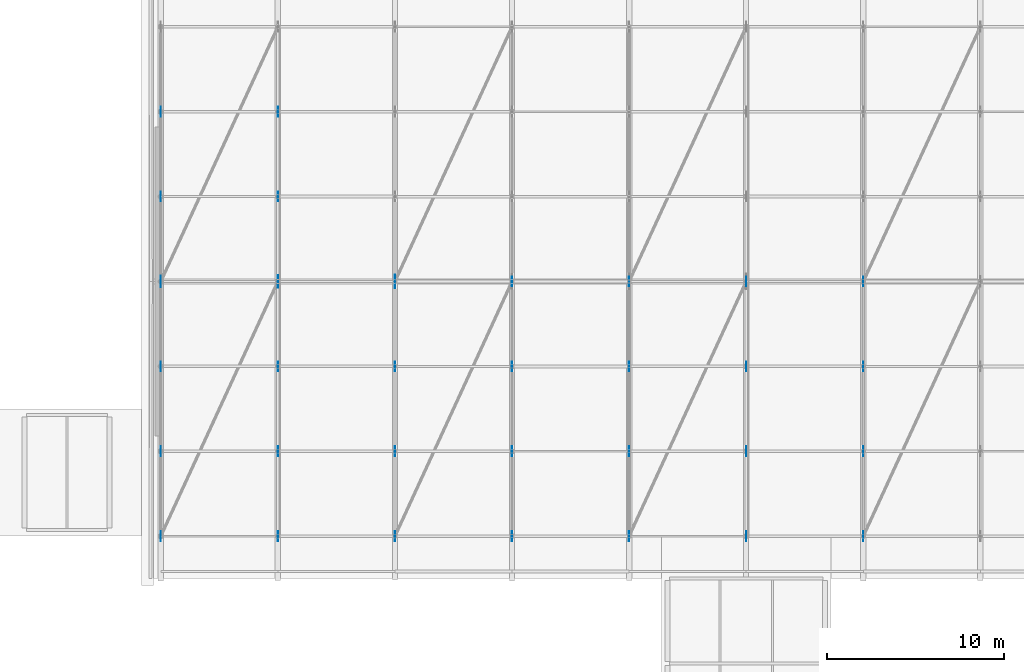
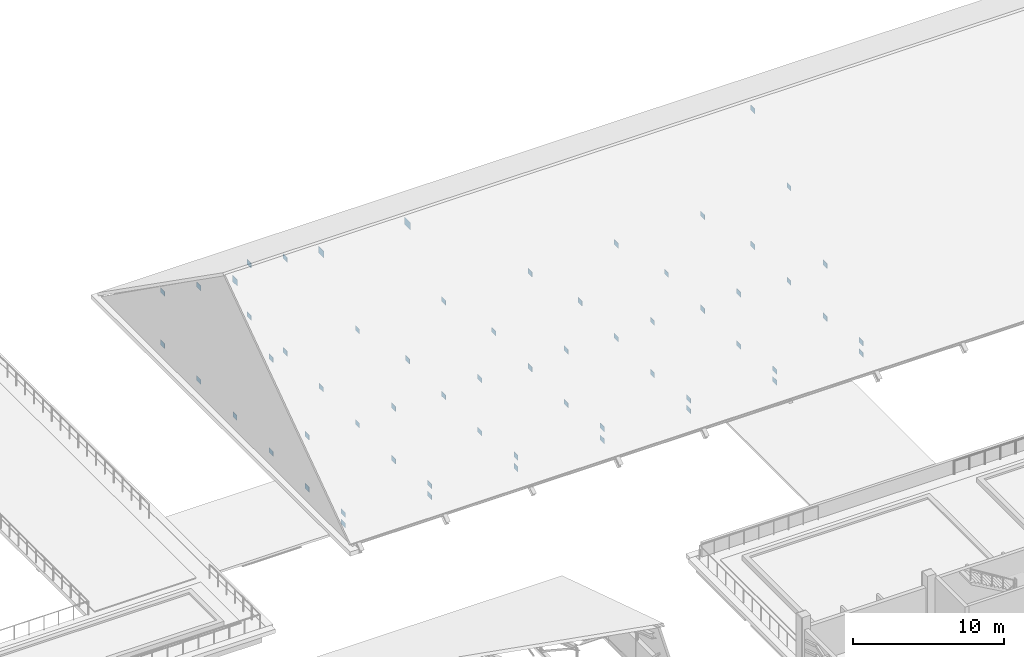
# One storey, part 109 of 134: 61 plates.
"""IFC4 building model written with IfcOpenShell, lengths in metres."""

from ifc_helpers import new_model, si_unit, direction, frame, origin, origin_2d, place, context, subcontext, project, spatial, rectangle, extrude, material, layer, layer_set, type_object, element, save


model = new_model("IFC4")

# Units and contexts
model_context = context("Model", 3, precision=1e-05, world=origin(), true_north=direction((0.0, 1.0)))
body_context = subcontext(model_context, "Body", "Model", "MODEL_VIEW")
ifc_project = project(units=[si_unit("LENGTHUNIT", "METRE"), si_unit("AREAUNIT", "SQUARE_METRE"), si_unit("VOLUMEUNIT", "CUBIC_METRE"), si_unit("PLANEANGLEUNIT", "RADIAN"), si_unit("MASSUNIT", "GRAM", prefix="KILO")], contexts=[model_context])

# Site, building, storey
site_placement = place(None, origin())
site = spatial("IfcSite", under=ifc_project, at=site_placement, CompositionType="ELEMENT")
building_placement = place(site_placement, origin())
building = spatial("IfcBuilding", under=site, at=building_placement, Name="Asteropetra Specialist Clinic", CompositionType="ELEMENT")
storey_placement = place(building_placement, frame((0.0, 0.0, 8.5)))
storey = spatial("IfcBuildingStorey", under=building, at=storey_placement, Name="L02", CompositionType="ELEMENT", Elevation=8.5)

# Plates
ifc_material_1 = material(Name="Steel S355", Category="steel")
ifc_layer_1 = layer(ifc_material_1, 0.02197265625)
ifc_layer_set_1 = layer_set([ifc_layer_1], Name="Steel S355")
plate_type_1 = type_object("IfcPlateType", Name="PLT-GUS-02", PredefinedType="SHEET", material=ifc_layer_set_1)
plate_1_placement = place(storey_placement, frame((86.89990234375, 91.199951171875, 11.2109375), z_axis=(0.0, 0.0, 1.0), x_axis=(1.0, 0.0, 0.0)))
element("IfcPlate", 1, at=plate_1_placement, inside=storey, type_object=plate_type_1, Name="Truss Ridge Gusset GP-TRV1-01", PredefinedType="SHEET", context=body_context, shape_type="SweptSolid", body=[
    extrude(rectangle(XDim=0.02197265625, YDim=0.64990234375, at=origin_2d()), origin(), (0.0, 0.0, 1.0), 0.5),
])
ifc_material_2 = material(Name="Steel S355", Category="steel")
ifc_layer_2 = layer(ifc_material_2, 0.02392578125)
ifc_layer_set_2 = layer_set([ifc_layer_2], Name="Steel S355")
plate_type_2 = type_object("IfcPlateType", Name="PLT-GUS-03", PredefinedType="SHEET", material=ifc_layer_set_2)
plate_2_placement = place(storey_placement, frame((93.52001953125, 91.199951171875, 11.18603515625), z_axis=(0.0, 0.0, 1.0), x_axis=(1.0, 0.0, 0.0)))
element("IfcPlate", 2, at=plate_2_placement, inside=storey, type_object=plate_type_2, Name="Truss Ridge Gusset GP-TRV1-02", PredefinedType="SHEET", context=body_context, shape_type="SweptSolid", body=[
    extrude(rectangle(XDim=0.02392578125, YDim=0.699951171875, at=origin_2d()), origin(), (0.0, 0.0, 1.0), 0.550048828125),
])
ifc_material_3 = material(Name="Steel S355", Category="steel")
ifc_layer_3 = layer(ifc_material_3, 0.02490234375)
ifc_layer_set_3 = layer_set([ifc_layer_3], Name="Steel S355")
plate_type_3 = type_object("IfcPlateType", Name="PLT-GUS-04", PredefinedType="SHEET", material=ifc_layer_set_3)
plate_3_placement = place(storey_placement, frame((100.139892578125, 91.199951171875, 11.160888671875), z_axis=(0.0, 0.0, 1.0), x_axis=(1.0, 0.0, 0.0)))
element("IfcPlate", 3, at=plate_3_placement, inside=storey, type_object=plate_type_3, Name="Truss Ridge Gusset GP-TRV1-03", PredefinedType="SHEET", context=body_context, shape_type="SweptSolid", body=[
    extrude(rectangle(XDim=0.02490234375, YDim=0.75, at=origin_2d()), origin(), (0.0, 0.0, 1.0), 0.60009765625),
])
ifc_material_4 = material(Name="Steel S355", Category="steel")
ifc_layer_4 = layer(ifc_material_4, 0.01806640625)
ifc_layer_set_4 = layer_set([ifc_layer_4], Name="Steel S355")
plate_type_4 = type_object("IfcPlateType", Name="PLT-GUS-08", PredefinedType="SHEET", material=ifc_layer_set_4)
for number, where, z_axis, x_axis, name in (
    (4, (86.89990234375, 76.800048828125, 0.295166015625), (0.0, 0.0, 1.0), (1.0, 0.0, 0.0), "Truss Bottom Chord Gusset GPB-V101-0"),
    (5, (86.89990234375, 76.800048828125, 1.146728515625), (0.0, 0.0, 1.0), (1.0, 0.0, 0.0), "Truss Top Chord Gusset GPT-V101-0"),
    (6, (86.89990234375, 81.60009765625, 0.295166015625), (0.0, 0.0, 1.0), (1.0, 0.0, 0.0), "Truss Bottom Chord Gusset GPB-V101-1"),
    (7, (86.89990234375, 81.60009765625, 4.51806640625), (0.0, 0.0, 1.0), (1.0, 0.0, 0.0), "Truss Top Chord Gusset GPT-V101-1"),
    (8, (86.89990234375, 86.39990234375, 0.295166015625), (0.0, 0.0, 1.0), (1.0, 0.0, 0.0), "Truss Bottom Chord Gusset GPB-V101-2"),
    (9, (86.89990234375, 86.39990234375, 7.8896484375), (0.0, 0.0, 1.0), (1.0, 0.0, 0.0), "Truss Top Chord Gusset GPT-V101-2"),
    (10, (86.89990234375, 91.199951171875, 0.295166015625), (0.0, 0.0, 1.0), (1.0, 0.0, 0.0), "Truss Bottom Chord Gusset GPB-V101-3"),
    (11, (86.89990234375, 96.0, 0.295166015625), (0.0, 0.0, 1.0), (1.0, 0.0, 0.0), "Truss Bottom Chord Gusset GPB-V101-4"),
    (12, (86.89990234375, 96.0, 7.8896484375), (0.0, 0.0, 1.0), (1.0, 0.0, 0.0), "Truss Top Chord Gusset GPT-V101-4"),
    (13, (86.89990234375, 100.800048828125, 0.295166015625), (0.0, 0.0, 1.0), (1.0, 0.0, 0.0), "Truss Bottom Chord Gusset GPB-V101-5"),
    (14, (86.89990234375, 100.800048828125, 4.51806640625), (0.0, 0.0, 1.0), (1.0, 0.0, 0.0), "Truss Top Chord Gusset GPT-V101-5"),
    (15, (93.52001953125, 76.800048828125, 0.27001953125), (0.0, 0.0, 1.0), (1.0, 0.0, 0.0), "Truss Bottom Chord Gusset GPB-V102-0"),
    (16, (93.52001953125, 76.800048828125, 1.146728515625), (0.0, 0.0, 1.0), (1.0, 0.0, 0.0), "Truss Top Chord Gusset GPT-V102-0"),
    (17, (93.52001953125, 81.60009765625, 0.27001953125), (0.0, 0.0, 1.0), (1.0, 0.0, 0.0), "Truss Bottom Chord Gusset GPB-V102-1"),
    (18, (93.52001953125, 81.60009765625, 4.51806640625), (0.0, 0.0, 1.0), (1.0, 0.0, 0.0), "Truss Top Chord Gusset GPT-V102-1"),
    (19, (93.52001953125, 86.39990234375, 0.27001953125), (0.0, 0.0, 1.0), (1.0, 0.0, 0.0), "Truss Bottom Chord Gusset GPB-V102-2"),
    (20, (93.52001953125, 86.39990234375, 7.8896484375), (0.0, 0.0, 1.0), (1.0, 0.0, 0.0), "Truss Top Chord Gusset GPT-V102-2"),
    (21, (93.52001953125, 91.199951171875, 0.27001953125), (0.0, 0.0, 1.0), (1.0, 0.0, 0.0), "Truss Bottom Chord Gusset GPB-V102-3"),
    (22, (93.52001953125, 96.0, 0.27001953125), (0.0, 0.0, 1.0), (1.0, 0.0, 0.0), "Truss Bottom Chord Gusset GPB-V102-4"),
    (23, (93.52001953125, 96.0, 7.8896484375), (0.0, 0.0, 1.0), (1.0, 0.0, 0.0), "Truss Top Chord Gusset GPT-V102-4"),
    (24, (93.52001953125, 100.800048828125, 0.27001953125), (0.0, 0.0, 1.0), (1.0, 0.0, 0.0), "Truss Bottom Chord Gusset GPB-V102-5"),
    (25, (93.52001953125, 100.800048828125, 4.51806640625), (0.0, 0.0, 1.0), (1.0, 0.0, 0.0), "Truss Top Chord Gusset GPT-V102-5"),
    (26, (100.139892578125, 76.800048828125, 0.219970703125), (0.0, 0.0, 1.0), (1.0, 0.0, 0.0), "Truss Bottom Chord Gusset GPB-V103-0"),
    (27, (100.139892578125, 76.800048828125, 1.146728515625), (0.0, 0.0, 1.0), (1.0, 0.0, 0.0), "Truss Top Chord Gusset GPT-V103-0"),
    (28, (100.139892578125, 81.60009765625, 0.219970703125), (0.0, 0.0, 1.0), (1.0, 0.0, 0.0), "Truss Bottom Chord Gusset GPB-V103-1"),
    (29, (100.139892578125, 81.60009765625, 4.51806640625), (0.0, 0.0, 1.0), (1.0, 0.0, 0.0), "Truss Top Chord Gusset GPT-V103-1"),
    (30, (100.139892578125, 86.39990234375, 0.219970703125), (0.0, 0.0, 1.0), (1.0, 0.0, 0.0), "Truss Bottom Chord Gusset GPB-V103-2"),
    (31, (100.139892578125, 86.39990234375, 7.8896484375), (0.0, 0.0, 1.0), (1.0, 0.0, 0.0), "Truss Top Chord Gusset GPT-V103-2"),
    (32, (100.139892578125, 91.199951171875, 0.219970703125), (0.0, 0.0, 1.0), (1.0, 0.0, 0.0), "Truss Bottom Chord Gusset GPB-V103-3"),
    (33, (106.760009765625, 76.800048828125, 0.170166015625), (0.0, 0.0, 1.0), (1.0, 0.0, 0.0), "Truss Bottom Chord Gusset GPB-V104-0"),
    (34, (106.760009765625, 76.800048828125, 1.146728515625), (0.0, 0.0, 1.0), (1.0, 0.0, 0.0), "Truss Top Chord Gusset GPT-V104-0"),
    (35, (106.760009765625, 81.60009765625, 0.170166015625), (0.0, 0.0, 1.0), (1.0, 0.0, 0.0), "Truss Bottom Chord Gusset GPB-V104-1"),
    (36, (106.760009765625, 81.60009765625, 4.51806640625), (0.0, 0.0, 1.0), (1.0, 0.0, 0.0), "Truss Top Chord Gusset GPT-V104-1"),
    (37, (106.760009765625, 86.39990234375, 0.170166015625), (0.0, 0.0, 1.0), (1.0, 0.0, 0.0), "Truss Bottom Chord Gusset GPB-V104-2"),
    (38, (106.760009765625, 86.39990234375, 7.8896484375), (0.0, 0.0, 1.0), (1.0, 0.0, 0.0), "Truss Top Chord Gusset GPT-V104-2"),
    (39, (106.760009765625, 91.199951171875, 0.170166015625), (0.0, 0.0, 1.0), (1.0, 0.0, 0.0), "Truss Bottom Chord Gusset GPB-V104-3"),
    (40, (113.3798828125, 76.800048828125, 0.295166015625), (0.0, 0.0, 1.0), (1.0, 0.0, 0.0), "Truss Bottom Chord Gusset GPB-V105-0"),
    (41, (113.3798828125, 76.800048828125, 1.146728515625), (0.0, 0.0, 1.0), (1.0, 0.0, 0.0), "Truss Top Chord Gusset GPT-V105-0"),
    (42, (113.3798828125, 81.60009765625, 0.295166015625), (0.0, 0.0, 1.0), (1.0, 0.0, 0.0), "Truss Bottom Chord Gusset GPB-V105-1"),
    (43, (113.3798828125, 81.60009765625, 4.51806640625), (0.0, 0.0, 1.0), (1.0, 0.0, 0.0), "Truss Top Chord Gusset GPT-V105-1"),
    (44, (113.3798828125, 86.39990234375, 0.295166015625), (0.0, 0.0, 1.0), (1.0, 0.0, 0.0), "Truss Bottom Chord Gusset GPB-V105-2"),
    (45, (113.3798828125, 86.39990234375, 7.8896484375), (0.0, 0.0, 1.0), (1.0, 0.0, 0.0), "Truss Top Chord Gusset GPT-V105-2"),
    (46, (113.3798828125, 91.199951171875, 0.295166015625), (0.0, 0.0, 1.0), (1.0, 0.0, 0.0), "Truss Bottom Chord Gusset GPB-V105-3"),
    (47, (120.0, 76.800048828125, 0.27001953125), (0.0, 0.0, 1.0), (1.0, 0.0, 0.0), "Truss Bottom Chord Gusset GPB-V106-0"),
    (48, (120.0, 76.800048828125, 1.146728515625), (0.0, 0.0, 1.0), (1.0, 0.0, 0.0), "Truss Top Chord Gusset GPT-V106-0"),
    (49, (120.0, 81.60009765625, 0.27001953125), (0.0, 0.0, 1.0), (1.0, 0.0, 0.0), "Truss Bottom Chord Gusset GPB-V106-1"),
    (50, (120.0, 81.60009765625, 4.51806640625), (0.0, 0.0, 1.0), (1.0, 0.0, 0.0), "Truss Top Chord Gusset GPT-V106-1"),
    (51, (120.0, 86.39990234375, 0.27001953125), (0.0, 0.0, 1.0), (1.0, 0.0, 0.0), "Truss Bottom Chord Gusset GPB-V106-2"),
    (52, (120.0, 86.39990234375, 7.8896484375), (0.0, 0.0, 1.0), (1.0, 0.0, 0.0), "Truss Top Chord Gusset GPT-V106-2"),
    (53, (120.0, 91.199951171875, 0.27001953125), (0.0, 0.0, 1.0), (1.0, 0.0, 0.0), "Truss Bottom Chord Gusset GPB-V106-3"),
    (54, (126.6201171875, 91.199951171875, 11.260986328125), (0.0, 0.0, 1.0), (1.0, 0.0, 0.0), "Truss Ridge Gusset GP-TRV1-07"),
    (55, (126.6201171875, 76.800048828125, 0.219970703125), (0.0, 0.0, 1.0), (1.0, 0.0, 0.0), "Truss Bottom Chord Gusset GPB-V107-0"),
    (56, (126.6201171875, 76.800048828125, 1.146728515625), (0.0, 0.0, 1.0), (1.0, 0.0, 0.0), "Truss Top Chord Gusset GPT-V107-0"),
    (57, (126.6201171875, 81.60009765625, 0.219970703125), (0.0, 0.0, 1.0), (1.0, 0.0, 0.0), "Truss Bottom Chord Gusset GPB-V107-1"),
    (58, (126.6201171875, 81.60009765625, 4.51806640625), (0.0, 0.0, 1.0), (1.0, 0.0, 0.0), "Truss Top Chord Gusset GPT-V107-1"),
    (59, (126.6201171875, 86.39990234375, 0.219970703125), (0.0, 0.0, 1.0), (1.0, 0.0, 0.0), "Truss Bottom Chord Gusset GPB-V107-2"),
    (60, (126.6201171875, 86.39990234375, 7.8896484375), (0.0, 0.0, 1.0), (1.0, 0.0, 0.0), "Truss Top Chord Gusset GPT-V107-2"),
    (61, (126.6201171875, 91.199951171875, 0.219970703125), (0.0, 0.0, 1.0), (1.0, 0.0, 0.0), "Truss Bottom Chord Gusset GPB-V107-3"),
):
    element("IfcPlate", number, at=place(storey_placement, frame(where, z_axis=z_axis, x_axis=x_axis)), inside=storey, type_object=plate_type_4, Name=name, PredefinedType="SHEET", context=body_context, shape_type="SweptSolid", body=[
        extrude(rectangle(XDim=0.01806640625, YDim=0.550048828125, at=origin_2d()), origin(), (0.0, 0.0, 1.0), 0.39990234375),
    ])

save(model, "model.ifc")
